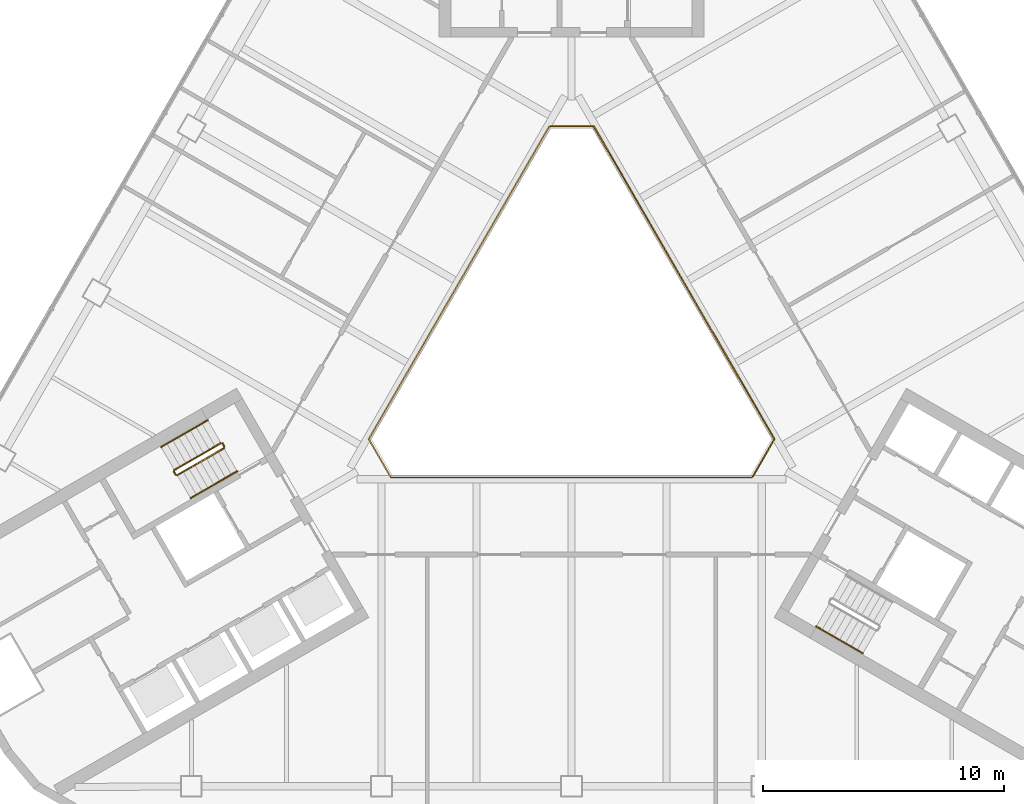
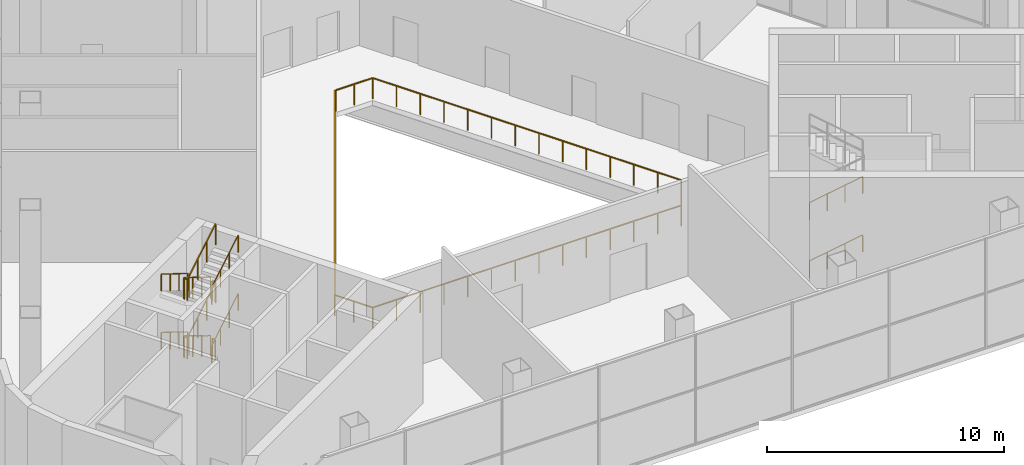
# One storey, part 12 of 14: 16 railings.
"""IFC4 building model written with IfcOpenShell, lengths in metres."""

from ifc_helpers import new_model, si_unit, direction, frame, origin, origin_2d, place, context, subcontext, project, spatial, rectangle, circle, extrude, material, type_object, element, save


model = new_model("IFC4")

# Units and contexts
model_context = context("Model", 3, precision=1e-05, world=origin(), true_north=direction((0.0, 1.0)))
body_context = subcontext(model_context, "Body", "Model", "MODEL_VIEW")
ifc_project = project(units=[si_unit("LENGTHUNIT", "METRE"), si_unit("AREAUNIT", "SQUARE_METRE"), si_unit("VOLUMEUNIT", "CUBIC_METRE"), si_unit("PLANEANGLEUNIT", "RADIAN"), si_unit("MASSUNIT", "GRAM", prefix="KILO")], contexts=[model_context])

# Site, building, storey
site_placement = place(None, origin())
site = spatial("IfcSite", under=ifc_project, at=site_placement, CompositionType="ELEMENT")
building_placement = place(site_placement, origin())
building = spatial("IfcBuilding", under=site, at=building_placement, Name="Apuvela Tower Hotel", CompositionType="ELEMENT")
storey_placement = place(building_placement, frame((0.0, 0.0, 131.60009765625)))
storey = spatial("IfcBuildingStorey", under=building, at=storey_placement, Name="L31", CompositionType="ELEMENT", Elevation=131.60009765625)

# Railings
ifc_material_1 = material(Name="Steel S275 balustrade", Category="steel")
railing_type_1 = type_object("IfcRailingType", Name="COR-GUARD-1100", PredefinedType="GUARDRAIL", material=ifc_material_1)
railing_1_placement = place(storey_placement, frame((-14.569091796875, -3.9658203125, 0.16650390625)))
element("IfcRailing", 1, at=railing_1_placement, inside=storey, type_object=railing_type_1, Name="L31 ST2 stair guard 1", PredefinedType="GUARDRAIL", context=body_context, shape_type="SweptSolid", body=[
    extrude(rectangle(XDim=0.048095703125, YDim=0.048095703125, at=origin_2d()), frame((0.0, 0.0, 1.076171875), z_axis=(-0.744127094489, -0.429617493068, 0.511569816249), x_axis=(0.49999608499, -0.866027664105, 0.0)), (0.0, 0.0, 1.0), 2.606689453125),
    extrude(rectangle(XDim=0.0419921875, YDim=0.0419921875, at=origin_2d()), origin(), (0.0, 0.0, 1.0), 1.052001953125),
    extrude(rectangle(XDim=0.0419921875, YDim=0.0419921875, at=origin_2d()), frame((-0.646484375, -0.373291015625, 0.444580078125)), (0.0, 0.0, 1.0), 1.052001953125),
    extrude(rectangle(XDim=0.0419921875, YDim=0.0419921875, at=origin_2d()), frame((-1.293212890625, -0.74658203125, 0.888916015625)), (0.0, 0.0, 1.0), 1.052001953125),
    extrude(rectangle(XDim=0.0419921875, YDim=0.0419921875, at=origin_2d()), frame((-1.939697265625, -1.119873046875, 1.33349609375)), (0.0, 0.0, 1.0), 1.052001953125),
])
railing_2_placement = place(storey_placement, frame((-16.527099609375, -5.154052734375, 1.5)))
element("IfcRailing", 2, at=railing_2_placement, inside=storey, type_object=railing_type_1, Name="L31 ST2 stair guard 2", PredefinedType="GUARDRAIL", context=body_context, shape_type="SweptSolid", body=[
    extrude(rectangle(XDim=0.048095703125, YDim=0.048095703125, at=origin_2d()), frame((0.0, 0.0, 1.076171875), z_axis=(0.499816412211, -0.866131372301, 0.0), x_axis=(0.866131372301, 0.499816412211, 0.0)), (0.0, 0.0, 1.0), 0.14990234375),
    extrude(rectangle(XDim=0.0419921875, YDim=0.0419921875, at=origin_2d()), origin(), (0.0, 0.0, 1.0), 1.052001953125),
    extrude(rectangle(XDim=0.0419921875, YDim=0.0419921875, at=origin_2d()), frame((0.074951171875, -0.1298828125, 0.0)), (0.0, 0.0, 1.0), 1.052001953125),
])
railing_3_placement = place(storey_placement, frame((-16.3837890625, -5.30224609375, 1.66650390625)))
element("IfcRailing", 3, at=railing_3_placement, inside=storey, type_object=railing_type_1, Name="L31 ST2 stair guard 3", PredefinedType="GUARDRAIL", context=body_context, shape_type="SweptSolid", body=[
    extrude(rectangle(XDim=0.048095703125, YDim=0.048095703125, at=origin_2d()), frame((0.0, 0.0, 1.076171875), z_axis=(0.744127094489, 0.429617493068, 0.511569816249), x_axis=(-0.49999608499, 0.866027664105, 0.0)), (0.0, 0.0, 1.0), 2.606689453125),
    extrude(rectangle(XDim=0.0419921875, YDim=0.0419921875, at=origin_2d()), origin(), (0.0, 0.0, 1.0), 1.052001953125),
    extrude(rectangle(XDim=0.0419921875, YDim=0.0419921875, at=origin_2d()), frame((0.646484375, 0.373291015625, 0.444580078125)), (0.0, 0.0, 1.0), 1.052001953125),
    extrude(rectangle(XDim=0.0419921875, YDim=0.0419921875, at=origin_2d()), frame((1.293212890625, 0.74658203125, 0.888916015625)), (0.0, 0.0, 1.0), 1.052001953125),
    extrude(rectangle(XDim=0.0419921875, YDim=0.0419921875, at=origin_2d()), frame((1.939697265625, 1.119873046875, 1.33349609375)), (0.0, 0.0, 1.0), 1.052001953125),
])
railing_4_placement = place(storey_placement, frame((-14.500732421875, -3.984130859375, 3.0)))
element("IfcRailing", 4, at=railing_4_placement, inside=storey, type_object=railing_type_1, Name="L31 ST2 stair guard 4", PredefinedType="GUARDRAIL", context=body_context, shape_type="SweptSolid", body=[
    extrude(rectangle(XDim=0.048095703125, YDim=0.048095703125, at=origin_2d()), frame((0.0, 0.0, 1.076171875), z_axis=(0.499816412211, -0.866131372301, 0.0), x_axis=(0.866131372301, 0.499816412211, 0.0)), (0.0, 0.0, 1.0), 0.14990234375),
    extrude(rectangle(XDim=0.0419921875, YDim=0.0419921875, at=origin_2d()), origin(), (0.0, 0.0, 1.0), 1.052001953125),
    extrude(rectangle(XDim=0.0419921875, YDim=0.0419921875, at=origin_2d()), frame((0.074951171875, -0.1298828125, 0.0)), (0.0, 0.0, 1.0), 1.052001953125),
])
railing_5_placement = place(storey_placement, frame((-14.569091796875, -3.9658203125, 3.16650390625)))
element("IfcRailing", 5, at=railing_5_placement, inside=storey, type_object=railing_type_1, Name="L31 ST2 stair guard 5", PredefinedType="GUARDRAIL", context=body_context, shape_type="SweptSolid", body=[
    extrude(rectangle(XDim=0.048095703125, YDim=0.048095703125, at=origin_2d()), frame((0.0, 0.0, 1.076171875), z_axis=(-0.744127094489, -0.429617493068, 0.511569816249), x_axis=(0.49999608499, -0.866027664105, 0.0)), (0.0, 0.0, 1.0), 2.606689453125),
    extrude(rectangle(XDim=0.0419921875, YDim=0.0419921875, at=origin_2d()), origin(), (0.0, 0.0, 1.0), 1.052001953125),
    extrude(rectangle(XDim=0.0419921875, YDim=0.0419921875, at=origin_2d()), frame((-0.646484375, -0.373291015625, 0.444580078125)), (0.0, 0.0, 1.0), 1.052001953125),
    extrude(rectangle(XDim=0.0419921875, YDim=0.0419921875, at=origin_2d()), frame((-1.293212890625, -0.74658203125, 0.888916015625)), (0.0, 0.0, 1.0), 1.052001953125),
    extrude(rectangle(XDim=0.0419921875, YDim=0.0419921875, at=origin_2d()), frame((-1.939697265625, -1.119873046875, 1.33349609375)), (0.0, 0.0, 1.0), 1.052001953125),
])
railing_6_placement = place(storey_placement, frame((-16.527099609375, -5.154052734375, 4.5)))
element("IfcRailing", 6, at=railing_6_placement, inside=storey, type_object=railing_type_1, Name="L31 ST2 stair guard 6", PredefinedType="GUARDRAIL", context=body_context, shape_type="SweptSolid", body=[
    extrude(rectangle(XDim=0.048095703125, YDim=0.048095703125, at=origin_2d()), frame((0.0, 0.0, 1.076171875), z_axis=(0.499816412211, -0.866131372301, 0.0), x_axis=(0.866131372301, 0.499816412211, 0.0)), (0.0, 0.0, 1.0), 0.14990234375),
    extrude(rectangle(XDim=0.0419921875, YDim=0.0419921875, at=origin_2d()), origin(), (0.0, 0.0, 1.0), 1.052001953125),
    extrude(rectangle(XDim=0.0419921875, YDim=0.0419921875, at=origin_2d()), frame((0.074951171875, -0.1298828125, 0.0)), (0.0, 0.0, 1.0), 1.052001953125),
])
railing_7_placement = place(storey_placement, frame((-16.3837890625, -5.30224609375, 4.66650390625)))
element("IfcRailing", 7, at=railing_7_placement, inside=storey, type_object=railing_type_1, Name="L31 ST2 stair guard 7", PredefinedType="GUARDRAIL", context=body_context, shape_type="SweptSolid", body=[
    extrude(rectangle(XDim=0.048095703125, YDim=0.048095703125, at=origin_2d()), frame((0.0, 0.0, 1.076171875), z_axis=(0.744127094489, 0.429617493068, 0.511569816249), x_axis=(-0.49999608499, 0.866027664105, 0.0)), (0.0, 0.0, 1.0), 2.606689453125),
    extrude(rectangle(XDim=0.0419921875, YDim=0.0419921875, at=origin_2d()), origin(), (0.0, 0.0, 1.0), 1.052001953125),
    extrude(rectangle(XDim=0.0419921875, YDim=0.0419921875, at=origin_2d()), frame((0.646484375, 0.373291015625, 0.444580078125)), (0.0, 0.0, 1.0), 1.052001953125),
    extrude(rectangle(XDim=0.0419921875, YDim=0.0419921875, at=origin_2d()), frame((1.293212890625, 0.74658203125, 0.888916015625)), (0.0, 0.0, 1.0), 1.052001953125),
    extrude(rectangle(XDim=0.0419921875, YDim=0.0419921875, at=origin_2d()), frame((1.939697265625, 1.119873046875, 1.33349609375)), (0.0, 0.0, 1.0), 1.052001953125),
])
railing_8_placement = place(storey_placement, frame((-14.500732421875, -3.984130859375, 0.0)))
element("IfcRailing", 8, at=railing_8_placement, inside=storey, type_object=railing_type_1, Name="L31 ST2 stair guard 8", PredefinedType="GUARDRAIL", context=body_context, shape_type="SweptSolid", body=[
    extrude(rectangle(XDim=0.048095703125, YDim=0.048095703125, at=origin_2d()), frame((0.0, 0.0, 1.076171875), z_axis=(0.499816412211, -0.866131372301, 0.0), x_axis=(0.866131372301, 0.499816412211, 0.0)), (0.0, 0.0, 1.0), 0.14990234375),
    extrude(rectangle(XDim=0.0419921875, YDim=0.0419921875, at=origin_2d()), origin(), (0.0, 0.0, 1.0), 1.052001953125),
    extrude(rectangle(XDim=0.0419921875, YDim=0.0419921875, at=origin_2d()), frame((0.074951171875, -0.1298828125, 0.0)), (0.0, 0.0, 1.0), 1.052001953125),
])
ifc_material_2 = material(Name="Stainless steel 316 handrail", Category="steel")
railing_type_2 = type_object("IfcRailingType", Name="COR-HANDRAIL-900", PredefinedType="HANDRAIL", material=ifc_material_2)
railing_9_placement = place(storey_placement, frame((-15.118896484375, -3.01318359375, 0.16650390625)))
element("IfcRailing", 9, at=railing_9_placement, inside=storey, type_object=railing_type_2, Name="L31 ST2 stair handrail 1", PredefinedType="HANDRAIL", context=body_context, shape_type="SweptSolid", body=[
    extrude(circle(Radius=0.02392578125, at=origin_2d()), frame((0.0, 0.0, 0.8759765625), z_axis=(-0.744168888134, -0.429587552211, 0.51153416398), x_axis=(0.49994888933, -0.866054910533, 0.0)), (0.0, 0.0, 1.0), 2.60693359375),
    extrude(rectangle(XDim=0.0419921875, YDim=0.0419921875, at=origin_2d()), origin(), (0.0, 0.0, 1.0), 0.851806640625),
    extrude(rectangle(XDim=0.0419921875, YDim=0.0419921875, at=origin_2d()), frame((-0.646728515625, -0.373291015625, 0.444580078125)), (0.0, 0.0, 1.0), 0.851806640625),
    extrude(rectangle(XDim=0.0419921875, YDim=0.0419921875, at=origin_2d()), frame((-1.293212890625, -0.74658203125, 0.888916015625)), (0.0, 0.0, 1.0), 0.851806640625),
    extrude(rectangle(XDim=0.0419921875, YDim=0.0419921875, at=origin_2d()), frame((-1.93994140625, -1.119873046875, 1.33349609375)), (0.0, 0.0, 1.0), 0.851806640625),
])
railing_10_placement = place(storey_placement, frame((-15.833984375, -6.2548828125, 1.66650390625)))
element("IfcRailing", 10, at=railing_10_placement, inside=storey, type_object=railing_type_2, Name="L31 ST2 stair handrail 2", PredefinedType="HANDRAIL", context=body_context, shape_type="SweptSolid", body=[
    extrude(circle(Radius=0.02392578125, at=origin_2d()), frame((0.0, 0.0, 0.8759765625), z_axis=(0.744168888134, 0.429587552211, 0.51153416398), x_axis=(-0.49994888933, 0.866054910533, 0.0)), (0.0, 0.0, 1.0), 2.60693359375),
    extrude(rectangle(XDim=0.0419921875, YDim=0.0419921875, at=origin_2d()), origin(), (0.0, 0.0, 1.0), 0.851806640625),
    extrude(rectangle(XDim=0.0419921875, YDim=0.0419921875, at=origin_2d()), frame((0.646728515625, 0.373291015625, 0.444580078125)), (0.0, 0.0, 1.0), 0.851806640625),
    extrude(rectangle(XDim=0.0419921875, YDim=0.0419921875, at=origin_2d()), frame((1.293212890625, 0.74658203125, 0.888916015625)), (0.0, 0.0, 1.0), 0.851806640625),
    extrude(rectangle(XDim=0.0419921875, YDim=0.0419921875, at=origin_2d()), frame((1.93994140625, 1.119873046875, 1.33349609375)), (0.0, 0.0, 1.0), 0.851806640625),
])
railing_11_placement = place(storey_placement, frame((-15.118896484375, -3.01318359375, 3.16650390625)))
element("IfcRailing", 11, at=railing_11_placement, inside=storey, type_object=railing_type_2, Name="L31 ST2 stair handrail 3", PredefinedType="HANDRAIL", context=body_context, shape_type="SweptSolid", body=[
    extrude(circle(Radius=0.02392578125, at=origin_2d()), frame((0.0, 0.0, 0.8759765625), z_axis=(-0.744168888134, -0.429587552211, 0.51153416398), x_axis=(0.49994888933, -0.866054910533, 0.0)), (0.0, 0.0, 1.0), 2.60693359375),
    extrude(rectangle(XDim=0.0419921875, YDim=0.0419921875, at=origin_2d()), origin(), (0.0, 0.0, 1.0), 0.851806640625),
    extrude(rectangle(XDim=0.0419921875, YDim=0.0419921875, at=origin_2d()), frame((-0.646728515625, -0.373291015625, 0.444580078125)), (0.0, 0.0, 1.0), 0.851806640625),
    extrude(rectangle(XDim=0.0419921875, YDim=0.0419921875, at=origin_2d()), frame((-1.293212890625, -0.74658203125, 0.888916015625)), (0.0, 0.0, 1.0), 0.851806640625),
    extrude(rectangle(XDim=0.0419921875, YDim=0.0419921875, at=origin_2d()), frame((-1.93994140625, -1.119873046875, 1.33349609375)), (0.0, 0.0, 1.0), 0.851806640625),
])
railing_12_placement = place(storey_placement, frame((-15.833984375, -6.2548828125, 4.66650390625)))
element("IfcRailing", 12, at=railing_12_placement, inside=storey, type_object=railing_type_2, Name="L31 ST2 stair handrail 4", PredefinedType="HANDRAIL", context=body_context, shape_type="SweptSolid", body=[
    extrude(circle(Radius=0.02392578125, at=origin_2d()), frame((0.0, 0.0, 0.8759765625), z_axis=(0.744168888134, 0.429587552211, 0.51153416398), x_axis=(-0.49994888933, 0.866054910533, 0.0)), (0.0, 0.0, 1.0), 2.60693359375),
    extrude(rectangle(XDim=0.0419921875, YDim=0.0419921875, at=origin_2d()), origin(), (0.0, 0.0, 1.0), 0.851806640625),
    extrude(rectangle(XDim=0.0419921875, YDim=0.0419921875, at=origin_2d()), frame((0.646728515625, 0.373291015625, 0.444580078125)), (0.0, 0.0, 1.0), 0.851806640625),
    extrude(rectangle(XDim=0.0419921875, YDim=0.0419921875, at=origin_2d()), frame((1.293212890625, 0.74658203125, 0.888916015625)), (0.0, 0.0, 1.0), 0.851806640625),
    extrude(rectangle(XDim=0.0419921875, YDim=0.0419921875, at=origin_2d()), frame((1.93994140625, 1.119873046875, 1.33349609375)), (0.0, 0.0, 1.0), 0.851806640625),
])
for number, where, name in (
    (13, (10.1689453125, -11.5869140625, 0.16650390625), "L31 ST3 stair handrail 1"),
    (14, (10.1689453125, -11.5869140625, 3.16650390625), "L31 ST3 stair handrail 3"),
):
    element("IfcRailing", number, at=place(storey_placement, frame(where)), inside=storey, type_object=railing_type_2, Name=name, PredefinedType="HANDRAIL", context=body_context, shape_type="SweptSolid", body=[
        extrude(circle(Radius=0.02392578125, at=origin_2d()), frame((0.0, 0.0, 0.8759765625), z_axis=(0.744168888134, -0.429587552211, 0.51153416398), x_axis=(0.49994888933, 0.866054910533, 0.0)), (0.0, 0.0, 1.0), 2.60693359375),
        extrude(rectangle(XDim=0.0419921875, YDim=0.0419921875, at=origin_2d()), origin(), (0.0, 0.0, 1.0), 0.851806640625),
        extrude(rectangle(XDim=0.0419921875, YDim=0.0419921875, at=origin_2d()), frame((0.646728515625, -0.373291015625, 0.444580078125)), (0.0, 0.0, 1.0), 0.851806640625),
        extrude(rectangle(XDim=0.0419921875, YDim=0.0419921875, at=origin_2d()), frame((1.293212890625, -0.74658203125, 0.888916015625)), (0.0, 0.0, 1.0), 0.851806640625),
        extrude(rectangle(XDim=0.0419921875, YDim=0.0419921875, at=origin_2d()), frame((1.93994140625, -1.119873046875, 1.33349609375)), (0.0, 0.0, 1.0), 0.851806640625),
    ])
ifc_material_3 = material(Name="Stainless steel 316 rail with laminated glass infill", Category="steel")
railing_type_3 = type_object("IfcRailingType", Name="ENV-GUARD-1100", PredefinedType="GUARDRAIL", material=ifc_material_3)
railing_13_placement = place(storey_placement, frame((-0.923828125, 9.199951171875, 0.0)))
element("IfcRailing", 15, at=railing_13_placement, inside=storey, type_object=railing_type_3, Name="Atrium void guard A L31", PredefinedType="GUARDRAIL", context=body_context, shape_type="SweptSolid", body=[
    extrude(rectangle(XDim=0.050048828125, YDim=0.050048828125, at=origin_2d()), frame((0.0, 0.0, 1.0751953125), z_axis=(-0.499990886379, -0.866030665472, 0.0), x_axis=(0.866030665472, -0.499990886379, 0.0)), (0.0, 0.0, 1.0), 15.010986328125),
    extrude(rectangle(XDim=0.050048828125, YDim=0.050048828125, at=origin_2d()), frame((-7.50537109375, -13.0, 1.0751953125), z_axis=(0.499962699187, -0.866046938348, 0.0), x_axis=(0.866046938348, 0.499962699187, 0.0)), (0.0, 0.0, 1.0), 1.847412109375),
    extrude(rectangle(XDim=0.050048828125, YDim=0.050048828125, at=origin_2d()), frame((-6.581787109375, -14.599853515625, 1.0751953125), z_axis=(1.0, 0.0, 0.0), x_axis=(0.0, 1.0, 0.0)), (0.0, 0.0, 1.0), 15.01123046875),
    extrude(rectangle(XDim=0.0400390625, YDim=0.0400390625, at=origin_2d()), origin(), (0.0, 0.0, 1.0), 1.050048828125),
    extrude(rectangle(XDim=0.0400390625, YDim=0.0400390625, at=origin_2d()), frame((-0.577392578125, -1.0, 0.0)), (0.0, 0.0, 1.0), 1.050048828125),
    extrude(rectangle(XDim=0.0400390625, YDim=0.0400390625, at=origin_2d()), frame((-1.15478515625, -2.0, 0.0)), (0.0, 0.0, 1.0), 1.050048828125),
    extrude(rectangle(XDim=0.0400390625, YDim=0.0400390625, at=origin_2d()), frame((-1.73193359375, -3.0, 0.0)), (0.0, 0.0, 1.0), 1.050048828125),
    extrude(rectangle(XDim=0.0400390625, YDim=0.0400390625, at=origin_2d()), frame((-2.309326171875, -4.0, 0.0)), (0.0, 0.0, 1.0), 1.050048828125),
    extrude(rectangle(XDim=0.0400390625, YDim=0.0400390625, at=origin_2d()), frame((-2.88671875, -5.0, 0.0)), (0.0, 0.0, 1.0), 1.050048828125),
    extrude(rectangle(XDim=0.0400390625, YDim=0.0400390625, at=origin_2d()), frame((-3.464111328125, -6.0, 0.0)), (0.0, 0.0, 1.0), 1.050048828125),
    extrude(rectangle(XDim=0.0400390625, YDim=0.0400390625, at=origin_2d()), frame((-4.041259765625, -7.0, 0.0)), (0.0, 0.0, 1.0), 1.050048828125),
    extrude(rectangle(XDim=0.0400390625, YDim=0.0400390625, at=origin_2d()), frame((-4.61865234375, -8.0, 0.0)), (0.0, 0.0, 1.0), 1.050048828125),
    extrude(rectangle(XDim=0.0400390625, YDim=0.0400390625, at=origin_2d()), frame((-5.196044921875, -9.0, 0.0)), (0.0, 0.0, 1.0), 1.050048828125),
    extrude(rectangle(XDim=0.0400390625, YDim=0.0400390625, at=origin_2d()), frame((-5.7734375, -10.0, 0.0)), (0.0, 0.0, 1.0), 1.050048828125),
    extrude(rectangle(XDim=0.0400390625, YDim=0.0400390625, at=origin_2d()), frame((-6.3505859375, -11.0, 0.0)), (0.0, 0.0, 1.0), 1.050048828125),
    extrude(rectangle(XDim=0.0400390625, YDim=0.0400390625, at=origin_2d()), frame((-6.927978515625, -12.0, 0.0)), (0.0, 0.0, 1.0), 1.050048828125),
    extrude(rectangle(XDim=0.0400390625, YDim=0.0400390625, at=origin_2d()), frame((-7.50537109375, -13.0, 0.0)), (0.0, 0.0, 1.0), 1.050048828125),
    extrude(rectangle(XDim=0.0400390625, YDim=0.0400390625, at=origin_2d()), frame((-7.04345703125, -13.7998046875, 0.0)), (0.0, 0.0, 1.0), 1.050048828125),
    extrude(rectangle(XDim=0.0400390625, YDim=0.0400390625, at=origin_2d()), frame((-6.581787109375, -14.599853515625, 0.0)), (0.0, 0.0, 1.0), 1.050048828125),
    extrude(rectangle(XDim=0.0400390625, YDim=0.0400390625, at=origin_2d()), frame((-5.427001953125, -14.599853515625, 0.0)), (0.0, 0.0, 1.0), 1.050048828125),
    extrude(rectangle(XDim=0.0400390625, YDim=0.0400390625, at=origin_2d()), frame((-4.2724609375, -14.599853515625, 0.0)), (0.0, 0.0, 1.0), 1.050048828125),
    extrude(rectangle(XDim=0.0400390625, YDim=0.0400390625, at=origin_2d()), frame((-3.11767578125, -14.599853515625, 0.0)), (0.0, 0.0, 1.0), 1.050048828125),
    extrude(rectangle(XDim=0.0400390625, YDim=0.0400390625, at=origin_2d()), frame((-1.962890625, -14.599853515625, 0.0)), (0.0, 0.0, 1.0), 1.050048828125),
    extrude(rectangle(XDim=0.0400390625, YDim=0.0400390625, at=origin_2d()), frame((-0.808349609375, -14.599853515625, 0.0)), (0.0, 0.0, 1.0), 1.050048828125),
    extrude(rectangle(XDim=0.0400390625, YDim=0.0400390625, at=origin_2d()), frame((0.346435546875, -14.599853515625, 0.0)), (0.0, 0.0, 1.0), 1.050048828125),
    extrude(rectangle(XDim=0.0400390625, YDim=0.0400390625, at=origin_2d()), frame((1.501220703125, -14.599853515625, 0.0)), (0.0, 0.0, 1.0), 1.050048828125),
    extrude(rectangle(XDim=0.0400390625, YDim=0.0400390625, at=origin_2d()), frame((2.656005859375, -14.599853515625, 0.0)), (0.0, 0.0, 1.0), 1.050048828125),
    extrude(rectangle(XDim=0.0400390625, YDim=0.0400390625, at=origin_2d()), frame((3.810546875, -14.599853515625, 0.0)), (0.0, 0.0, 1.0), 1.050048828125),
    extrude(rectangle(XDim=0.0400390625, YDim=0.0400390625, at=origin_2d()), frame((4.96533203125, -14.599853515625, 0.0)), (0.0, 0.0, 1.0), 1.050048828125),
    extrude(rectangle(XDim=0.0400390625, YDim=0.0400390625, at=origin_2d()), frame((6.1201171875, -14.599853515625, 0.0)), (0.0, 0.0, 1.0), 1.050048828125),
    extrude(rectangle(XDim=0.0400390625, YDim=0.0400390625, at=origin_2d()), frame((7.274658203125, -14.599853515625, 0.0)), (0.0, 0.0, 1.0), 1.050048828125),
    extrude(rectangle(XDim=0.0400390625, YDim=0.0400390625, at=origin_2d()), frame((8.429443359375, -14.599853515625, 0.0)), (0.0, 0.0, 1.0), 1.050048828125),
])
railing_14_placement = place(storey_placement, frame((7.53564453125, -5.347900390625, 0.0)))
element("IfcRailing", 16, at=railing_14_placement, inside=storey, type_object=railing_type_3, Name="Atrium void guard B L31", PredefinedType="GUARDRAIL", context=body_context, shape_type="SweptSolid", body=[
    extrude(rectangle(XDim=0.050048828125, YDim=0.050048828125, at=origin_2d()), frame((0.0, 0.0, 1.0751953125), z_axis=(0.499958946799, 0.866049104564, 0.0), x_axis=(-0.866049104564, 0.499958946799, 0.0)), (0.0, 0.0, 1.0), 1.787353515625),
    extrude(rectangle(XDim=0.050048828125, YDim=0.050048828125, at=origin_2d()), frame((0.8935546875, 1.5478515625, 1.0751953125), z_axis=(-0.499990886379, 0.866030665472, 0.0), x_axis=(-0.866030665472, -0.499990886379, 0.0)), (0.0, 0.0, 1.0), 15.010986328125),
    extrude(rectangle(XDim=0.050048828125, YDim=0.050048828125, at=origin_2d()), frame((-6.61181640625, 14.5478515625, 1.0751953125), z_axis=(-1.0, 0.0, 0.0), x_axis=(0.0, -1.0, 0.0)), (0.0, 0.0, 1.0), 1.78759765625),
    extrude(rectangle(XDim=0.0400390625, YDim=0.0400390625, at=origin_2d()), origin(), (0.0, 0.0, 1.0), 1.050048828125),
    extrude(rectangle(XDim=0.0400390625, YDim=0.0400390625, at=origin_2d()), frame((0.44677734375, 0.77392578125, 0.0)), (0.0, 0.0, 1.0), 1.050048828125),
    extrude(rectangle(XDim=0.0400390625, YDim=0.0400390625, at=origin_2d()), frame((0.8935546875, 1.5478515625, 0.0)), (0.0, 0.0, 1.0), 1.050048828125),
    extrude(rectangle(XDim=0.0400390625, YDim=0.0400390625, at=origin_2d()), frame((0.316162109375, 2.5478515625, 0.0)), (0.0, 0.0, 1.0), 1.050048828125),
    extrude(rectangle(XDim=0.0400390625, YDim=0.0400390625, at=origin_2d()), frame((-0.26123046875, 3.5478515625, 0.0)), (0.0, 0.0, 1.0), 1.050048828125),
    extrude(rectangle(XDim=0.0400390625, YDim=0.0400390625, at=origin_2d()), frame((-0.83837890625, 4.5478515625, 0.0)), (0.0, 0.0, 1.0), 1.050048828125),
    extrude(rectangle(XDim=0.0400390625, YDim=0.0400390625, at=origin_2d()), frame((-1.415771484375, 5.5478515625, 0.0)), (0.0, 0.0, 1.0), 1.050048828125),
    extrude(rectangle(XDim=0.0400390625, YDim=0.0400390625, at=origin_2d()), frame((-1.9931640625, 6.5478515625, 0.0)), (0.0, 0.0, 1.0), 1.050048828125),
    extrude(rectangle(XDim=0.0400390625, YDim=0.0400390625, at=origin_2d()), frame((-2.570556640625, 7.5478515625, 0.0)), (0.0, 0.0, 1.0), 1.050048828125),
    extrude(rectangle(XDim=0.0400390625, YDim=0.0400390625, at=origin_2d()), frame((-3.147705078125, 8.5478515625, 0.0)), (0.0, 0.0, 1.0), 1.050048828125),
    extrude(rectangle(XDim=0.0400390625, YDim=0.0400390625, at=origin_2d()), frame((-3.72509765625, 9.5478515625, 0.0)), (0.0, 0.0, 1.0), 1.050048828125),
    extrude(rectangle(XDim=0.0400390625, YDim=0.0400390625, at=origin_2d()), frame((-4.302490234375, 10.5478515625, 0.0)), (0.0, 0.0, 1.0), 1.050048828125),
    extrude(rectangle(XDim=0.0400390625, YDim=0.0400390625, at=origin_2d()), frame((-4.8798828125, 11.5478515625, 0.0)), (0.0, 0.0, 1.0), 1.050048828125),
    extrude(rectangle(XDim=0.0400390625, YDim=0.0400390625, at=origin_2d()), frame((-5.45703125, 12.5478515625, 0.0)), (0.0, 0.0, 1.0), 1.050048828125),
    extrude(rectangle(XDim=0.0400390625, YDim=0.0400390625, at=origin_2d()), frame((-6.034423828125, 13.5478515625, 0.0)), (0.0, 0.0, 1.0), 1.050048828125),
    extrude(rectangle(XDim=0.0400390625, YDim=0.0400390625, at=origin_2d()), frame((-6.61181640625, 14.5478515625, 0.0)), (0.0, 0.0, 1.0), 1.050048828125),
    extrude(rectangle(XDim=0.0400390625, YDim=0.0400390625, at=origin_2d()), frame((-7.505615234375, 14.5478515625, 0.0)), (0.0, 0.0, 1.0), 1.050048828125),
    extrude(rectangle(XDim=0.0400390625, YDim=0.0400390625, at=origin_2d()), frame((-8.3994140625, 14.5478515625, 0.0)), (0.0, 0.0, 1.0), 1.050048828125),
])

save(model, "model.ifc")
